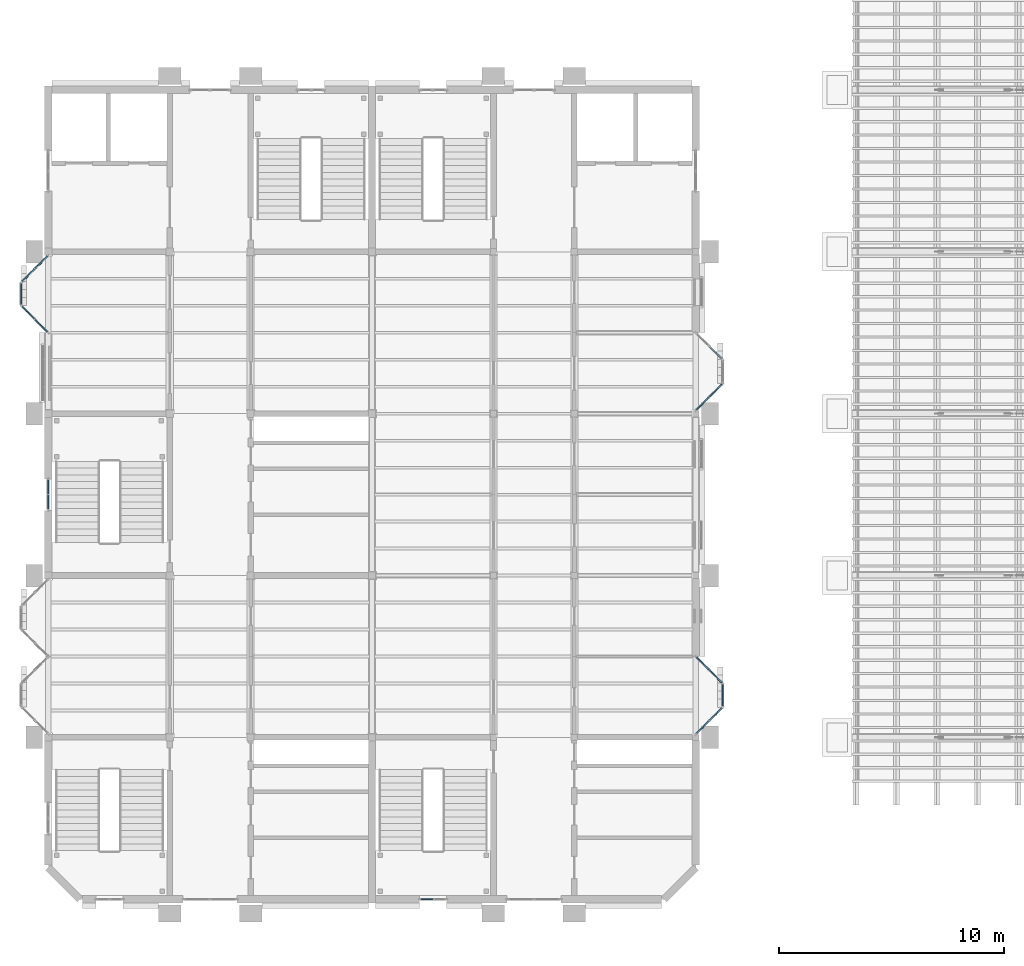
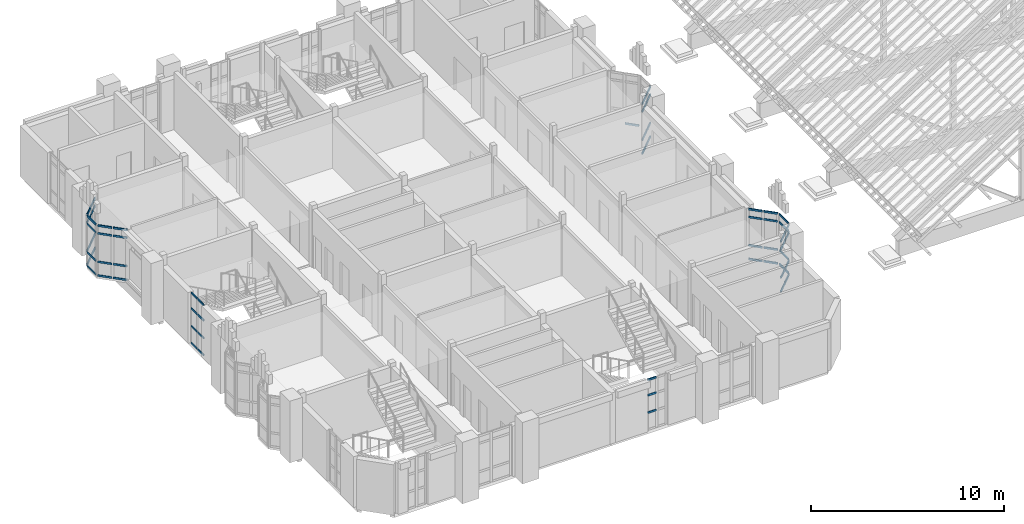
# One storey, part 22 of 71: 60 members, 10 elements without a shape of their own.
"""IFC4 building model written with IfcOpenShell, lengths in metres."""

import ifcopenshell
import ifcopenshell.guid

model = None  # the IFC model being written
_history = None  # IfcOwnerHistory: only IFC2X3 demands one
_inside = {}  # id of a spatial element -> (the spatial element, [elements in it])
_under = {}  # id of a project, library or spatial element -> (it, [spatial elements below it])
_declared = {}  # id of a project -> (the project, [libraries it declares])
_typed = {}  # id of a type object -> (the type object, [elements of that type])
_made_of = {}  # id of a material, layer set ... -> (it, [elements and type objects made of it])


def new_model(schema):
    """Start an empty IFC model of exactly this schema.

    Asked for "IFC4X3", IfcOpenShell would pick the latest addendum, in which some entities
    have other attributes; the version numbers below select the first issue.
    IFC2X3 requires an IfcOwnerHistory on every rooted entity: one is made here for all.
    """
    global model, _history
    if schema == "IFC4X3":
        model = ifcopenshell.file(schema_version=(4, 3, 0, 0))
    else:
        model = ifcopenshell.file(schema=schema)
    _inside.clear()
    _under.clear()
    _declared.clear()
    _typed.clear()
    _made_of.clear()
    _history = None
    if model.schema == "IFC2X3":
        org = make("IfcOrganization", Name="unknown")
        user = make(
            "IfcPersonAndOrganization",
            ThePerson=make("IfcPerson", FamilyName="unknown"),
            TheOrganization=org,
        )
        app = make(
            "IfcApplication",
            ApplicationDeveloper=org,
            Version="unknown",
            ApplicationFullName="unknown",
            ApplicationIdentifier="unknown",
        )
        _history = make(
            "IfcOwnerHistory",
            OwningUser=user,
            OwningApplication=app,
            ChangeAction="ADDED",
            CreationDate=0,
        )
    return model


def make(cls, **values):
    """One entity of the class cls with the attributes given. An attribute that is None is left unset."""
    return model.create_entity(
        cls, **{name: value for name, value in values.items() if value is not None}
    )


def rooted(cls, **values):
    """An entity with a GlobalId (a new one), such as an element, a storey or a relation."""
    return make(cls, GlobalId=ifcopenshell.guid.new(), OwnerHistory=_history, **values)


def si_unit(unit_type, name, prefix=None):
    """IfcSIUnit, for example si_unit("LENGTHUNIT", "METRE", prefix="MILLI")."""
    return make("IfcSIUnit", UnitType=unit_type, Prefix=prefix, Name=name)


def assignment(units):
    """IfcUnitAssignment: the units of a project."""
    return None if units is None else make("IfcUnitAssignment", Units=units)


def point(xyz):
    """IfcCartesianPoint."""
    return None if xyz is None else make("IfcCartesianPoint", Coordinates=xyz)


def direction(xyz):
    """IfcDirection."""
    return None if xyz is None else make("IfcDirection", DirectionRatios=xyz)


def frame(location, z_axis=None, x_axis=None):
    """IfcAxis2Placement3D, a coordinate frame: its origin and axes. An axis left out is left unset."""
    return make(
        "IfcAxis2Placement3D",
        Location=point(location),
        Axis=direction(z_axis),
        RefDirection=direction(x_axis),
    )


def frame_2d(location, x_axis=None):
    """IfcAxis2Placement2D, a coordinate frame in the plane: its origin and x axis."""
    return make(
        "IfcAxis2Placement2D", Location=point(location), RefDirection=direction(x_axis)
    )


def origin():
    """The frame at (0, 0, 0) with its axes left unset."""
    return frame((0.0, 0.0, 0.0))


def origin_2d():
    """The frame at (0, 0) in the plane with its x axis left unset."""
    return frame_2d((0.0, 0.0))


def place(relative_to, where):
    """IfcLocalPlacement: puts the frame where relative to a parent placement (None: the world)."""
    return make(
        "IfcLocalPlacement", PlacementRelTo=relative_to, RelativePlacement=where
    )


def context(
    kind, dimensions, precision=None, world=None, true_north=None, identifier=None
):
    """IfcGeometricRepresentationContext, for example the 3D "Model" context."""
    return make(
        "IfcGeometricRepresentationContext",
        ContextIdentifier=identifier,
        ContextType=kind,
        CoordinateSpaceDimension=dimensions,
        Precision=precision,
        WorldCoordinateSystem=world,
        TrueNorth=true_north,
    )


def subcontext(parent, identifier, kind, view, scale=None):
    """IfcGeometricRepresentationSubContext, for example "Body" below "Model"."""
    return make(
        "IfcGeometricRepresentationSubContext",
        ContextIdentifier=identifier,
        ContextType=kind,
        ParentContext=parent,
        TargetScale=scale,
        TargetView=view,
    )


def project(units=None, contexts=None):
    """IfcProject with its units and contexts."""
    return rooted(
        "IfcProject",
        Name="project",
        RepresentationContexts=contexts,
        UnitsInContext=assignment(units),
    )


def spatial(cls, under=None, at=None, **own):
    """A site, building, storey or space (cls), placed at a placement, below another one or the project."""
    s = rooted(cls, ObjectPlacement=at, **own)
    if under is not None:
        _under.setdefault(under.id(), (under, []))[1].append(s)
    return s


def profile(cls, at=None, kind="AREA", **sizes):
    """A parametric profile (cls). Its sizes go by their IFC names, for example OverallWidth=200.0."""
    return make(cls, ProfileType=kind, Position=at, **sizes)


def rectangle(**sizes):
    """IfcRectangleProfileDef."""
    return profile("IfcRectangleProfileDef", **sizes)


def extrude(swept, where, along, depth):
    """IfcExtrudedAreaSolid: the profile swept, set in the frame where, extruded along a direction by depth."""
    return make(
        "IfcExtrudedAreaSolid",
        SweptArea=swept,
        Position=where,
        ExtrudedDirection=direction(along),
        Depth=depth,
    )


def shape(context_of_items, identifier, shape_type, items):
    """IfcShapeRepresentation: the items that make up one representation, for example the "Body"."""
    return make(
        "IfcShapeRepresentation",
        ContextOfItems=context_of_items,
        RepresentationIdentifier=identifier,
        RepresentationType=shape_type,
        Items=items,
    )


def material(Name=None, Category=None):
    """IfcMaterial."""
    return make("IfcMaterial", Name=Name, Category=Category)


def layer(
    of_material, thickness, ventilated=None, Name=None, Category=None, Priority=None
):
    """IfcMaterialLayer: one layer of a wall or slab, of a material (None: an air gap)."""
    return make(
        "IfcMaterialLayer",
        Material=of_material,
        LayerThickness=thickness,
        IsVentilated=ventilated,
        Name=Name,
        Category=Category,
        Priority=Priority,
    )


def layer_set(layers, Name=None):
    """IfcMaterialLayerSet."""
    return make("IfcMaterialLayerSet", MaterialLayers=layers, LayerSetName=Name)


def material_profile(
    of_material, cross_section, Name=None, Category=None, Priority=None
):
    """IfcMaterialProfile: a cross section and its material."""
    return make(
        "IfcMaterialProfile",
        Name=Name,
        Material=of_material,
        Profile=cross_section,
        Priority=Priority,
        Category=Category,
    )


def profile_set(profiles, Name=None, composite=None):
    """IfcMaterialProfileSet."""
    return make(
        "IfcMaterialProfileSet",
        Name=Name,
        MaterialProfiles=profiles,
        CompositeProfile=composite,
    )


def made_of(thing, what):
    """Note that an element or type object is made of a material, layer set ...; save() writes the relation."""
    if what is not None:
        _made_of.setdefault(what.id(), (what, []))[1].append(thing)
    return thing


def type_object(cls, material=None, **own):
    """A type object (cls), such as IfcWallType, which elements share."""
    return made_of(rooted(cls, **own), material)


def element(
    cls,
    number,
    at=None,
    inside=None,
    cuts=None,
    type_object=None,
    material=None,
    context=None,
    identifier="Body",
    shape_type=None,
    held_by="IfcProductDefinitionShape",
    body=None,
    shapes=None,
    **own,
):
    """One element of the class cls, such as IfcWall. Its Tag is "e" and its number.

    at: its placement. inside: the storey or other place that contains it. cuts: it is an
    opening in that element (IfcRelVoidsElement). A single representation is given by context,
    identifier, shape_type and body (its items); several are given by shapes. held_by: the class
    of the entity that holds the representations. save() writes the other relations.
    """
    e = rooted(cls, Tag="e%d" % number, ObjectPlacement=at, **own)
    if body is not None:
        shapes = [shape(context, identifier, shape_type, body)]
    if shapes is not None:
        e.Representation = make(held_by, Representations=shapes)
    if inside is not None:
        _inside.setdefault(inside.id(), (inside, []))[1].append(e)
    if cuts is not None:
        rooted(
            "IfcRelVoidsElement", RelatingBuildingElement=cuts, RelatedOpeningElement=e
        )
    if type_object is not None:
        _typed.setdefault(type_object.id(), (type_object, []))[1].append(e)
    return made_of(e, material)


def aggregate(whole, parts):
    """IfcRelAggregates: a whole, such as a stair, and the parts it consists of."""
    return rooted("IfcRelAggregates", RelatingObject=whole, RelatedObjects=parts)


def save(model, path):
    """Write the relations noted so far, then the file.

    IfcRelAggregates (storeys below a building ...), IfcRelContainedInSpatialStructure (elements
    in a storey), IfcRelDefinesByType, IfcRelAssociatesMaterial and IfcRelDeclares: one each for
    every whole, place, type object, material and project.
    """
    for whole, parts in _under.values():
        aggregate(whole, parts)
    for where, things in _inside.values():
        rooted(
            "IfcRelContainedInSpatialStructure",
            RelatedElements=things,
            RelatingStructure=where,
        )
    for kind, things in _typed.values():
        rooted("IfcRelDefinesByType", RelatedObjects=things, RelatingType=kind)
    for what, things in _made_of.values():
        rooted("IfcRelAssociatesMaterial", RelatedObjects=things, RelatingMaterial=what)
    for by, libraries in _declared.values():
        rooted("IfcRelDeclares", RelatingContext=by, RelatedDefinitions=libraries)
    model.write(path)


model = new_model("IFC4")

# Units and contexts
model_context = context("Model", 3, precision=1e-05, world=origin(), true_north=direction((0.0, 1.0)))
body_context = subcontext(model_context, "Body", "Model", "MODEL_VIEW")
ifc_project = project(units=[si_unit("LENGTHUNIT", "METRE"), si_unit("AREAUNIT", "SQUARE_METRE"), si_unit("VOLUMEUNIT", "CUBIC_METRE"), si_unit("PLANEANGLEUNIT", "RADIAN"), si_unit("MASSUNIT", "GRAM", prefix="KILO")], contexts=[model_context])

# Site, building, storey
site_placement = place(None, origin())
site = spatial("IfcSite", under=ifc_project, at=site_placement, CompositionType="ELEMENT")
building_placement = place(site_placement, origin())
building = spatial("IfcBuilding", under=site, at=building_placement, Name="Mazhai Court Health Centre", CompositionType="ELEMENT")
storey_placement = place(building_placement, frame((0.0, 0.0, 10.199951171875)))
storey = spatial("IfcBuildingStorey", under=building, at=storey_placement, Name="L02", CompositionType="ELEMENT", Elevation=10.199951171875)

# Curtain wall, members
ifc_material_1 = material(Name="Teak timber frame, glazed", Category="wood")
ifc_layer_1 = layer(ifc_material_1, 0.10009765625)
ifc_layer_set_1 = layer_set([ifc_layer_1], Name="CURTAIN WALL TIMBER 600")
curtain_wall_type_1 = type_object("IfcCurtainWallType", Name="CURTAIN WALL TIMBER 600", PredefinedType="NOTDEFINED", material=ifc_layer_set_1)
curtain_wall_1_placement = place(storey_placement, origin())
curtain_wall_1 = element("IfcCurtainWall", 1, at=curtain_wall_1_placement, inside=storey, type_object=curtain_wall_type_1, Name="CW-V2-L02-A2", PredefinedType="NOTDEFINED")
ifc_material_2 = material(Name="Teak timber", Category="wood")
ifc_material_profile = material_profile(ifc_material_2, rectangle(XDim=0.06005859375, YDim=0.1201171875, at=origin_2d()), Name="CW TRANSOM 60x120")
ifc_profile_set = profile_set([ifc_material_profile], Name="Teak timber")
member_type = type_object("IfcMemberType", Name="CW TRANSOM 60x120", PredefinedType="USERDEFINED", material=ifc_profile_set)
member_1_placement = place(storey_placement, frame((6.199951171875, 23.56005859375, 0.030029296875), z_axis=(0.0, 1.0, 0.0), x_axis=(-1.0, 0.0, 0.0)))
member_1 = element("IfcMember", 2, at=member_1_placement, type_object=member_type, Name="CW transom 1.1", ObjectType="TRANSOM", PredefinedType="USERDEFINED", context=body_context, shape_type="SweptSolid", body=[
    extrude(rectangle(XDim=0.06005859375, YDim=0.1201171875, at=origin_2d()), origin(), (0.0, 0.0, 1.0), 0.60986328125),
])
member_2_placement = place(storey_placement, frame((6.199951171875, 23.56005859375, 1.10009765625), z_axis=(0.0, 1.0, 0.0), x_axis=(-1.0, 0.0, 0.0)))
member_2 = element("IfcMember", 3, at=member_2_placement, type_object=member_type, Name="CW transom 1.2", ObjectType="TRANSOM", PredefinedType="USERDEFINED", context=body_context, shape_type="SweptSolid", body=[
    extrude(rectangle(XDim=0.06005859375, YDim=0.1201171875, at=origin_2d()), origin(), (0.0, 0.0, 1.0), 0.60986328125),
])
member_3_placement = place(storey_placement, frame((6.199951171875, 23.56005859375, 2.219970703125), z_axis=(0.0, 1.0, 0.0), x_axis=(-1.0, 0.0, 0.0)))
member_3 = element("IfcMember", 4, at=member_3_placement, type_object=member_type, Name="CW transom 1.3", ObjectType="TRANSOM", PredefinedType="USERDEFINED", context=body_context, shape_type="SweptSolid", body=[
    extrude(rectangle(XDim=0.06005859375, YDim=0.1201171875, at=origin_2d()), origin(), (0.0, 0.0, 1.0), 0.60986328125),
])
member_4_placement = place(storey_placement, frame((6.199951171875, 23.56005859375, 3.18994140625), z_axis=(0.0, 1.0, 0.0), x_axis=(-1.0, 0.0, 0.0)))
member_4 = element("IfcMember", 5, at=member_4_placement, type_object=member_type, Name="CW transom 1.4", ObjectType="TRANSOM", PredefinedType="USERDEFINED", context=body_context, shape_type="SweptSolid", body=[
    extrude(rectangle(XDim=0.06005859375, YDim=0.1201171875, at=origin_2d()), origin(), (0.0, 0.0, 1.0), 0.60986328125),
])
member_5_placement = place(storey_placement, frame((6.199951171875, 24.22998046875, 0.030029296875), z_axis=(0.0, 1.0, 0.0), x_axis=(-1.0, 0.0, 0.0)))
member_5 = element("IfcMember", 6, at=member_5_placement, type_object=member_type, Name="CW transom 2.1", ObjectType="TRANSOM", PredefinedType="USERDEFINED", context=body_context, shape_type="SweptSolid", body=[
    extrude(rectangle(XDim=0.06005859375, YDim=0.1201171875, at=origin_2d()), origin(), (0.0, 0.0, 1.0), 0.610107421875),
])
member_6_placement = place(storey_placement, frame((6.199951171875, 24.22998046875, 1.10009765625), z_axis=(0.0, 1.0, 0.0), x_axis=(-1.0, 0.0, 0.0)))
member_6 = element("IfcMember", 7, at=member_6_placement, type_object=member_type, Name="CW transom 2.2", ObjectType="TRANSOM", PredefinedType="USERDEFINED", context=body_context, shape_type="SweptSolid", body=[
    extrude(rectangle(XDim=0.06005859375, YDim=0.1201171875, at=origin_2d()), origin(), (0.0, 0.0, 1.0), 0.610107421875),
])
member_7_placement = place(storey_placement, frame((6.199951171875, 24.22998046875, 2.219970703125), z_axis=(0.0, 1.0, 0.0), x_axis=(-1.0, 0.0, 0.0)))
member_7 = element("IfcMember", 8, at=member_7_placement, type_object=member_type, Name="CW transom 2.3", ObjectType="TRANSOM", PredefinedType="USERDEFINED", context=body_context, shape_type="SweptSolid", body=[
    extrude(rectangle(XDim=0.06005859375, YDim=0.1201171875, at=origin_2d()), origin(), (0.0, 0.0, 1.0), 0.610107421875),
])
member_8_placement = place(storey_placement, frame((6.199951171875, 24.22998046875, 3.18994140625), z_axis=(0.0, 1.0, 0.0), x_axis=(-1.0, 0.0, 0.0)))
member_8 = element("IfcMember", 9, at=member_8_placement, type_object=member_type, Name="CW transom 2.4", ObjectType="TRANSOM", PredefinedType="USERDEFINED", context=body_context, shape_type="SweptSolid", body=[
    extrude(rectangle(XDim=0.06005859375, YDim=0.1201171875, at=origin_2d()), origin(), (0.0, 0.0, 1.0), 0.610107421875),
])
aggregate(curtain_wall_1, [member_1, member_2, member_3, member_4, member_5, member_6, member_7, member_8])

ifc_material_3 = material(Name="Teak timber frame, glazed", Category="wood")
ifc_layer_2 = layer(ifc_material_3, 0.10009765625)
ifc_layer_set_2 = layer_set([ifc_layer_2], Name="CURTAIN WALL TIMBER 900")
curtain_wall_type_2 = type_object("IfcCurtainWallType", Name="CURTAIN WALL TIMBER 900", PredefinedType="NOTDEFINED", material=ifc_layer_set_2)
curtain_wall_2_placement = place(storey_placement, origin())
curtain_wall_2 = element("IfcCurtainWall", 10, at=curtain_wall_2_placement, inside=storey, type_object=curtain_wall_type_2, Name="CW-ORIEL-V2-L02-A31-0", PredefinedType="NOTDEFINED")
member_9_placement = place(storey_placement, frame((6.157470703125, 31.4423828125, 0.030029296875), z_axis=(-0.707106781187, 0.707106781187, 0.0), x_axis=(-0.707106781187, -0.707106781187, 0.0)))
member_9 = element("IfcMember", 11, at=member_9_placement, type_object=member_type, Name="CW transom 1.1", ObjectType="TRANSOM", PredefinedType="USERDEFINED", context=body_context, shape_type="SweptSolid", body=[
    extrude(rectangle(XDim=0.06005859375, YDim=0.1201171875, at=origin_2d()), origin(), (0.0, 0.0, 1.0), 0.758544921875),
])
member_10_placement = place(storey_placement, frame((6.157470703125, 31.4423828125, 0.900146484375), z_axis=(-0.707106781187, 0.707106781187, 0.0), x_axis=(-0.707106781187, -0.707106781187, 0.0)))
member_10 = element("IfcMember", 12, at=member_10_placement, type_object=member_type, Name="CW transom 1.2", ObjectType="TRANSOM", PredefinedType="USERDEFINED", context=body_context, shape_type="SweptSolid", body=[
    extrude(rectangle(XDim=0.06005859375, YDim=0.1201171875, at=origin_2d()), origin(), (0.0, 0.0, 1.0), 0.758544921875),
])
member_11_placement = place(storey_placement, frame((6.157470703125, 31.4423828125, 2.699951171875), z_axis=(-0.707106781187, 0.707106781187, 0.0), x_axis=(-0.707106781187, -0.707106781187, 0.0)))
member_11 = element("IfcMember", 13, at=member_11_placement, type_object=member_type, Name="CW transom 1.3", ObjectType="TRANSOM", PredefinedType="USERDEFINED", context=body_context, shape_type="SweptSolid", body=[
    extrude(rectangle(XDim=0.06005859375, YDim=0.1201171875, at=origin_2d()), origin(), (0.0, 0.0, 1.0), 0.758544921875),
])
member_12_placement = place(storey_placement, frame((6.157470703125, 31.4423828125, 3.18994140625), z_axis=(-0.707106781187, 0.707106781187, 0.0), x_axis=(-0.707106781187, -0.707106781187, 0.0)))
member_12 = element("IfcMember", 14, at=member_12_placement, type_object=member_type, Name="CW transom 1.4", ObjectType="TRANSOM", PredefinedType="USERDEFINED", context=body_context, shape_type="SweptSolid", body=[
    extrude(rectangle(XDim=0.06005859375, YDim=0.1201171875, at=origin_2d()), origin(), (0.0, 0.0, 1.0), 0.758544921875),
])
member_13_placement = place(storey_placement, frame((5.578857421875, 32.021240234375, 0.030029296875), z_axis=(-0.707106781187, 0.707106781187, 0.0), x_axis=(-0.707106781187, -0.707106781187, 0.0)))
member_13 = element("IfcMember", 15, at=member_13_placement, type_object=member_type, Name="CW transom 2.1", ObjectType="TRANSOM", PredefinedType="USERDEFINED", context=body_context, shape_type="SweptSolid", body=[
    extrude(rectangle(XDim=0.06005859375, YDim=0.1201171875, at=origin_2d()), origin(), (0.0, 0.0, 1.0), 0.758544921875),
])
member_14_placement = place(storey_placement, frame((5.578857421875, 32.021240234375, 0.900146484375), z_axis=(-0.707106781187, 0.707106781187, 0.0), x_axis=(-0.707106781187, -0.707106781187, 0.0)))
member_14 = element("IfcMember", 16, at=member_14_placement, type_object=member_type, Name="CW transom 2.2", ObjectType="TRANSOM", PredefinedType="USERDEFINED", context=body_context, shape_type="SweptSolid", body=[
    extrude(rectangle(XDim=0.06005859375, YDim=0.1201171875, at=origin_2d()), origin(), (0.0, 0.0, 1.0), 0.758544921875),
])
member_15_placement = place(storey_placement, frame((5.578857421875, 32.021240234375, 2.699951171875), z_axis=(-0.707106781187, 0.707106781187, 0.0), x_axis=(-0.707106781187, -0.707106781187, 0.0)))
member_15 = element("IfcMember", 17, at=member_15_placement, type_object=member_type, Name="CW transom 2.3", ObjectType="TRANSOM", PredefinedType="USERDEFINED", context=body_context, shape_type="SweptSolid", body=[
    extrude(rectangle(XDim=0.06005859375, YDim=0.1201171875, at=origin_2d()), origin(), (0.0, 0.0, 1.0), 0.758544921875),
])
member_16_placement = place(storey_placement, frame((5.578857421875, 32.021240234375, 3.18994140625), z_axis=(-0.707106781187, 0.707106781187, 0.0), x_axis=(-0.707106781187, -0.707106781187, 0.0)))
member_16 = element("IfcMember", 18, at=member_16_placement, type_object=member_type, Name="CW transom 2.4", ObjectType="TRANSOM", PredefinedType="USERDEFINED", context=body_context, shape_type="SweptSolid", body=[
    extrude(rectangle(XDim=0.06005859375, YDim=0.1201171875, at=origin_2d()), origin(), (0.0, 0.0, 1.0), 0.758544921875),
])
aggregate(curtain_wall_2, [member_9, member_10, member_11, member_12, member_13, member_14, member_15, member_16])

curtain_wall_3_placement = place(storey_placement, origin())
curtain_wall_3 = element("IfcCurtainWall", 19, at=curtain_wall_3_placement, inside=storey, type_object=curtain_wall_type_2, Name="CW-ORIEL-V2-L02-A31-1", PredefinedType="NOTDEFINED")
member_17_placement = place(storey_placement, frame((5.0, 32.659912109375, 0.030029296875), z_axis=(0.0, 1.0, 0.0), x_axis=(-1.0, 0.0, 0.0)))
member_17 = element("IfcMember", 20, at=member_17_placement, type_object=member_type, Name="CW transom 1.1", ObjectType="TRANSOM", PredefinedType="USERDEFINED", context=body_context, shape_type="SweptSolid", body=[
    extrude(rectangle(XDim=0.06005859375, YDim=0.1201171875, at=origin_2d()), origin(), (0.0, 0.0, 1.0), 0.920166015625),
])
member_18_placement = place(storey_placement, frame((5.0, 32.659912109375, 0.900146484375), z_axis=(0.0, 1.0, 0.0), x_axis=(-1.0, 0.0, 0.0)))
member_18 = element("IfcMember", 21, at=member_18_placement, type_object=member_type, Name="CW transom 1.2", ObjectType="TRANSOM", PredefinedType="USERDEFINED", context=body_context, shape_type="SweptSolid", body=[
    extrude(rectangle(XDim=0.06005859375, YDim=0.1201171875, at=origin_2d()), origin(), (0.0, 0.0, 1.0), 0.920166015625),
])
member_19_placement = place(storey_placement, frame((5.0, 32.659912109375, 2.699951171875), z_axis=(0.0, 1.0, 0.0), x_axis=(-1.0, 0.0, 0.0)))
member_19 = element("IfcMember", 22, at=member_19_placement, type_object=member_type, Name="CW transom 1.3", ObjectType="TRANSOM", PredefinedType="USERDEFINED", context=body_context, shape_type="SweptSolid", body=[
    extrude(rectangle(XDim=0.06005859375, YDim=0.1201171875, at=origin_2d()), origin(), (0.0, 0.0, 1.0), 0.920166015625),
])
member_20_placement = place(storey_placement, frame((5.0, 32.659912109375, 3.18994140625), z_axis=(0.0, 1.0, 0.0), x_axis=(-1.0, 0.0, 0.0)))
member_20 = element("IfcMember", 23, at=member_20_placement, type_object=member_type, Name="CW transom 1.4", ObjectType="TRANSOM", PredefinedType="USERDEFINED", context=body_context, shape_type="SweptSolid", body=[
    extrude(rectangle(XDim=0.06005859375, YDim=0.1201171875, at=origin_2d()), origin(), (0.0, 0.0, 1.0), 0.920166015625),
])
aggregate(curtain_wall_3, [member_17, member_18, member_19, member_20])

curtain_wall_4_placement = place(storey_placement, origin())
curtain_wall_4 = element("IfcCurtainWall", 24, at=curtain_wall_4_placement, inside=storey, type_object=curtain_wall_type_2, Name="CW-ORIEL-V2-L02-A31-2", PredefinedType="NOTDEFINED")
member_21_placement = place(storey_placement, frame((5.04248046875, 33.682373046875, 0.030029296875), z_axis=(0.707106781187, 0.707106781187, 0.0), x_axis=(-0.707106781187, 0.707106781187, 0.0)))
member_21 = element("IfcMember", 25, at=member_21_placement, type_object=member_type, Name="CW transom 1.1", ObjectType="TRANSOM", PredefinedType="USERDEFINED", context=body_context, shape_type="SweptSolid", body=[
    extrude(rectangle(XDim=0.06005859375, YDim=0.1201171875, at=origin_2d()), origin(), (0.0, 0.0, 1.0), 0.758544921875),
])
member_22_placement = place(storey_placement, frame((5.04248046875, 33.682373046875, 0.900146484375), z_axis=(0.707106781187, 0.707106781187, 0.0), x_axis=(-0.707106781187, 0.707106781187, 0.0)))
member_22 = element("IfcMember", 26, at=member_22_placement, type_object=member_type, Name="CW transom 1.2", ObjectType="TRANSOM", PredefinedType="USERDEFINED", context=body_context, shape_type="SweptSolid", body=[
    extrude(rectangle(XDim=0.06005859375, YDim=0.1201171875, at=origin_2d()), origin(), (0.0, 0.0, 1.0), 0.758544921875),
])
member_23_placement = place(storey_placement, frame((5.04248046875, 33.682373046875, 2.699951171875), z_axis=(0.707106781187, 0.707106781187, 0.0), x_axis=(-0.707106781187, 0.707106781187, 0.0)))
member_23 = element("IfcMember", 27, at=member_23_placement, type_object=member_type, Name="CW transom 1.3", ObjectType="TRANSOM", PredefinedType="USERDEFINED", context=body_context, shape_type="SweptSolid", body=[
    extrude(rectangle(XDim=0.06005859375, YDim=0.1201171875, at=origin_2d()), origin(), (0.0, 0.0, 1.0), 0.758544921875),
])
member_24_placement = place(storey_placement, frame((5.04248046875, 33.682373046875, 3.18994140625), z_axis=(0.707106781187, 0.707106781187, 0.0), x_axis=(-0.707106781187, 0.707106781187, 0.0)))
member_24 = element("IfcMember", 28, at=member_24_placement, type_object=member_type, Name="CW transom 1.4", ObjectType="TRANSOM", PredefinedType="USERDEFINED", context=body_context, shape_type="SweptSolid", body=[
    extrude(rectangle(XDim=0.06005859375, YDim=0.1201171875, at=origin_2d()), origin(), (0.0, 0.0, 1.0), 0.758544921875),
])
member_25_placement = place(storey_placement, frame((5.62109375, 34.26123046875, 0.030029296875), z_axis=(0.707106781187, 0.707106781187, 0.0), x_axis=(-0.707106781187, 0.707106781187, 0.0)))
member_25 = element("IfcMember", 29, at=member_25_placement, type_object=member_type, Name="CW transom 2.1", ObjectType="TRANSOM", PredefinedType="USERDEFINED", context=body_context, shape_type="SweptSolid", body=[
    extrude(rectangle(XDim=0.06005859375, YDim=0.1201171875, at=origin_2d()), origin(), (0.0, 0.0, 1.0), 0.758544921875),
])
member_26_placement = place(storey_placement, frame((5.62109375, 34.26123046875, 0.900146484375), z_axis=(0.707106781187, 0.707106781187, 0.0), x_axis=(-0.707106781187, 0.707106781187, 0.0)))
member_26 = element("IfcMember", 30, at=member_26_placement, type_object=member_type, Name="CW transom 2.2", ObjectType="TRANSOM", PredefinedType="USERDEFINED", context=body_context, shape_type="SweptSolid", body=[
    extrude(rectangle(XDim=0.06005859375, YDim=0.1201171875, at=origin_2d()), origin(), (0.0, 0.0, 1.0), 0.758544921875),
])
member_27_placement = place(storey_placement, frame((5.62109375, 34.26123046875, 2.699951171875), z_axis=(0.707106781187, 0.707106781187, 0.0), x_axis=(-0.707106781187, 0.707106781187, 0.0)))
member_27 = element("IfcMember", 31, at=member_27_placement, type_object=member_type, Name="CW transom 2.3", ObjectType="TRANSOM", PredefinedType="USERDEFINED", context=body_context, shape_type="SweptSolid", body=[
    extrude(rectangle(XDim=0.06005859375, YDim=0.1201171875, at=origin_2d()), origin(), (0.0, 0.0, 1.0), 0.758544921875),
])
member_28_placement = place(storey_placement, frame((5.62109375, 34.26123046875, 3.18994140625), z_axis=(0.707106781187, 0.707106781187, 0.0), x_axis=(-0.707106781187, 0.707106781187, 0.0)))
member_28 = element("IfcMember", 32, at=member_28_placement, type_object=member_type, Name="CW transom 2.4", ObjectType="TRANSOM", PredefinedType="USERDEFINED", context=body_context, shape_type="SweptSolid", body=[
    extrude(rectangle(XDim=0.06005859375, YDim=0.1201171875, at=origin_2d()), origin(), (0.0, 0.0, 1.0), 0.758544921875),
])
aggregate(curtain_wall_4, [member_21, member_22, member_23, member_24, member_25, member_26, member_27, member_28])

curtain_wall_5_placement = place(storey_placement, origin())
curtain_wall_5 = element("IfcCurtainWall", 33, at=curtain_wall_5_placement, inside=storey, type_object=curtain_wall_type_2, Name="CW-ORIEL-V5-L02-B10-0", PredefinedType="NOTDEFINED")
member_29_placement = place(storey_placement, frame((35.04248046875, 13.58251953125, 0.030029296875), z_axis=(0.707106781187, 0.707106781187, 0.0), x_axis=(-0.707106781187, 0.707106781187, 0.0)))
member_29 = element("IfcMember", 34, at=member_29_placement, type_object=member_type, Name="CW transom 1.1", ObjectType="TRANSOM", PredefinedType="USERDEFINED", context=body_context, shape_type="SweptSolid", body=[
    extrude(rectangle(XDim=0.06005859375, YDim=0.1201171875, at=origin_2d()), origin(), (0.0, 0.0, 1.0), 0.758544921875),
])
member_30_placement = place(storey_placement, frame((35.04248046875, 13.58251953125, 0.900146484375), z_axis=(0.707106781187, 0.707106781187, 0.0), x_axis=(-0.707106781187, 0.707106781187, 0.0)))
member_30 = element("IfcMember", 35, at=member_30_placement, type_object=member_type, Name="CW transom 1.2", ObjectType="TRANSOM", PredefinedType="USERDEFINED", context=body_context, shape_type="SweptSolid", body=[
    extrude(rectangle(XDim=0.06005859375, YDim=0.1201171875, at=origin_2d()), origin(), (0.0, 0.0, 1.0), 0.758544921875),
])
member_31_placement = place(storey_placement, frame((35.04248046875, 13.58251953125, 2.699951171875), z_axis=(0.707106781187, 0.707106781187, 0.0), x_axis=(-0.707106781187, 0.707106781187, 0.0)))
member_31 = element("IfcMember", 36, at=member_31_placement, type_object=member_type, Name="CW transom 1.3", ObjectType="TRANSOM", PredefinedType="USERDEFINED", context=body_context, shape_type="SweptSolid", body=[
    extrude(rectangle(XDim=0.06005859375, YDim=0.1201171875, at=origin_2d()), origin(), (0.0, 0.0, 1.0), 0.758544921875),
])
member_32_placement = place(storey_placement, frame((35.04248046875, 13.58251953125, 3.18994140625), z_axis=(0.707106781187, 0.707106781187, 0.0), x_axis=(-0.707106781187, 0.707106781187, 0.0)))
member_32 = element("IfcMember", 37, at=member_32_placement, type_object=member_type, Name="CW transom 1.4", ObjectType="TRANSOM", PredefinedType="USERDEFINED", context=body_context, shape_type="SweptSolid", body=[
    extrude(rectangle(XDim=0.06005859375, YDim=0.1201171875, at=origin_2d()), origin(), (0.0, 0.0, 1.0), 0.758544921875),
])
member_33_placement = place(storey_placement, frame((35.62109375, 14.1611328125, 0.030029296875), z_axis=(0.707106781187, 0.707106781187, 0.0), x_axis=(-0.707106781187, 0.707106781187, 0.0)))
member_33 = element("IfcMember", 38, at=member_33_placement, type_object=member_type, Name="CW transom 2.1", ObjectType="TRANSOM", PredefinedType="USERDEFINED", context=body_context, shape_type="SweptSolid", body=[
    extrude(rectangle(XDim=0.06005859375, YDim=0.1201171875, at=origin_2d()), origin(), (0.0, 0.0, 1.0), 0.758544921875),
])
member_34_placement = place(storey_placement, frame((35.62109375, 14.1611328125, 0.900146484375), z_axis=(0.707106781187, 0.707106781187, 0.0), x_axis=(-0.707106781187, 0.707106781187, 0.0)))
member_34 = element("IfcMember", 39, at=member_34_placement, type_object=member_type, Name="CW transom 2.2", ObjectType="TRANSOM", PredefinedType="USERDEFINED", context=body_context, shape_type="SweptSolid", body=[
    extrude(rectangle(XDim=0.06005859375, YDim=0.1201171875, at=origin_2d()), origin(), (0.0, 0.0, 1.0), 0.758544921875),
])
member_35_placement = place(storey_placement, frame((35.62109375, 14.1611328125, 2.699951171875), z_axis=(0.707106781187, 0.707106781187, 0.0), x_axis=(-0.707106781187, 0.707106781187, 0.0)))
member_35 = element("IfcMember", 40, at=member_35_placement, type_object=member_type, Name="CW transom 2.3", ObjectType="TRANSOM", PredefinedType="USERDEFINED", context=body_context, shape_type="SweptSolid", body=[
    extrude(rectangle(XDim=0.06005859375, YDim=0.1201171875, at=origin_2d()), origin(), (0.0, 0.0, 1.0), 0.758544921875),
])
member_36_placement = place(storey_placement, frame((35.62109375, 14.1611328125, 3.18994140625), z_axis=(0.707106781187, 0.707106781187, 0.0), x_axis=(-0.707106781187, 0.707106781187, 0.0)))
member_36 = element("IfcMember", 41, at=member_36_placement, type_object=member_type, Name="CW transom 2.4", ObjectType="TRANSOM", PredefinedType="USERDEFINED", context=body_context, shape_type="SweptSolid", body=[
    extrude(rectangle(XDim=0.06005859375, YDim=0.1201171875, at=origin_2d()), origin(), (0.0, 0.0, 1.0), 0.758544921875),
])
aggregate(curtain_wall_5, [member_29, member_30, member_31, member_32, member_33, member_34, member_35, member_36])

curtain_wall_6_placement = place(storey_placement, origin())
curtain_wall_6 = element("IfcCurtainWall", 42, at=curtain_wall_6_placement, inside=storey, type_object=curtain_wall_type_2, Name="CW-ORIEL-V5-L02-B10-1", PredefinedType="NOTDEFINED")
member_37_placement = place(storey_placement, frame((36.199951171875, 14.800048828125, 0.030029296875), z_axis=(0.0, 1.0, 0.0), x_axis=(-1.0, 0.0, 0.0)))
member_37 = element("IfcMember", 43, at=member_37_placement, type_object=member_type, Name="CW transom 1.1", ObjectType="TRANSOM", PredefinedType="USERDEFINED", context=body_context, shape_type="SweptSolid", body=[
    extrude(rectangle(XDim=0.06005859375, YDim=0.1201171875, at=origin_2d()), origin(), (0.0, 0.0, 1.0), 0.93994140625),
])
member_38_placement = place(storey_placement, frame((36.199951171875, 14.800048828125, 0.900146484375), z_axis=(0.0, 1.0, 0.0), x_axis=(-1.0, 0.0, 0.0)))
member_38 = element("IfcMember", 44, at=member_38_placement, type_object=member_type, Name="CW transom 1.2", ObjectType="TRANSOM", PredefinedType="USERDEFINED", context=body_context, shape_type="SweptSolid", body=[
    extrude(rectangle(XDim=0.06005859375, YDim=0.1201171875, at=origin_2d()), origin(), (0.0, 0.0, 1.0), 0.93994140625),
])
member_39_placement = place(storey_placement, frame((36.199951171875, 14.800048828125, 2.699951171875), z_axis=(0.0, 1.0, 0.0), x_axis=(-1.0, 0.0, 0.0)))
member_39 = element("IfcMember", 45, at=member_39_placement, type_object=member_type, Name="CW transom 1.3", ObjectType="TRANSOM", PredefinedType="USERDEFINED", context=body_context, shape_type="SweptSolid", body=[
    extrude(rectangle(XDim=0.06005859375, YDim=0.1201171875, at=origin_2d()), origin(), (0.0, 0.0, 1.0), 0.93994140625),
])
member_40_placement = place(storey_placement, frame((36.199951171875, 14.800048828125, 3.18994140625), z_axis=(0.0, 1.0, 0.0), x_axis=(-1.0, 0.0, 0.0)))
member_40 = element("IfcMember", 46, at=member_40_placement, type_object=member_type, Name="CW transom 1.4", ObjectType="TRANSOM", PredefinedType="USERDEFINED", context=body_context, shape_type="SweptSolid", body=[
    extrude(rectangle(XDim=0.06005859375, YDim=0.1201171875, at=origin_2d()), origin(), (0.0, 0.0, 1.0), 0.93994140625),
])
aggregate(curtain_wall_6, [member_37, member_38, member_39, member_40])

curtain_wall_7_placement = place(storey_placement, origin())
curtain_wall_7 = element("IfcCurtainWall", 47, at=curtain_wall_7_placement, inside=storey, type_object=curtain_wall_type_2, Name="CW-ORIEL-V5-L02-B10-2", PredefinedType="NOTDEFINED")
member_41_placement = place(storey_placement, frame((36.157470703125, 15.842529296875, 0.030029296875), z_axis=(-0.707106781187, 0.707106781187, 0.0), x_axis=(-0.707106781187, -0.707106781187, 0.0)))
member_41 = element("IfcMember", 48, at=member_41_placement, type_object=member_type, Name="CW transom 1.1", ObjectType="TRANSOM", PredefinedType="USERDEFINED", context=body_context, shape_type="SweptSolid", body=[
    extrude(rectangle(XDim=0.06005859375, YDim=0.1201171875, at=origin_2d()), origin(), (0.0, 0.0, 1.0), 0.758544921875),
])
member_42_placement = place(storey_placement, frame((36.157470703125, 15.842529296875, 0.900146484375), z_axis=(-0.707106781187, 0.707106781187, 0.0), x_axis=(-0.707106781187, -0.707106781187, 0.0)))
member_42 = element("IfcMember", 49, at=member_42_placement, type_object=member_type, Name="CW transom 1.2", ObjectType="TRANSOM", PredefinedType="USERDEFINED", context=body_context, shape_type="SweptSolid", body=[
    extrude(rectangle(XDim=0.06005859375, YDim=0.1201171875, at=origin_2d()), origin(), (0.0, 0.0, 1.0), 0.758544921875),
])
member_43_placement = place(storey_placement, frame((36.157470703125, 15.842529296875, 2.699951171875), z_axis=(-0.707106781187, 0.707106781187, 0.0), x_axis=(-0.707106781187, -0.707106781187, 0.0)))
member_43 = element("IfcMember", 50, at=member_43_placement, type_object=member_type, Name="CW transom 1.3", ObjectType="TRANSOM", PredefinedType="USERDEFINED", context=body_context, shape_type="SweptSolid", body=[
    extrude(rectangle(XDim=0.06005859375, YDim=0.1201171875, at=origin_2d()), origin(), (0.0, 0.0, 1.0), 0.758544921875),
])
member_44_placement = place(storey_placement, frame((36.157470703125, 15.842529296875, 3.18994140625), z_axis=(-0.707106781187, 0.707106781187, 0.0), x_axis=(-0.707106781187, -0.707106781187, 0.0)))
member_44 = element("IfcMember", 51, at=member_44_placement, type_object=member_type, Name="CW transom 1.4", ObjectType="TRANSOM", PredefinedType="USERDEFINED", context=body_context, shape_type="SweptSolid", body=[
    extrude(rectangle(XDim=0.06005859375, YDim=0.1201171875, at=origin_2d()), origin(), (0.0, 0.0, 1.0), 0.758544921875),
])
member_45_placement = place(storey_placement, frame((35.578857421875, 16.421142578125, 0.030029296875), z_axis=(-0.707106781187, 0.707106781187, 0.0), x_axis=(-0.707106781187, -0.707106781187, 0.0)))
member_45 = element("IfcMember", 52, at=member_45_placement, type_object=member_type, Name="CW transom 2.1", ObjectType="TRANSOM", PredefinedType="USERDEFINED", context=body_context, shape_type="SweptSolid", body=[
    extrude(rectangle(XDim=0.06005859375, YDim=0.1201171875, at=origin_2d()), origin(), (0.0, 0.0, 1.0), 0.758544921875),
])
member_46_placement = place(storey_placement, frame((35.578857421875, 16.421142578125, 0.900146484375), z_axis=(-0.707106781187, 0.707106781187, 0.0), x_axis=(-0.707106781187, -0.707106781187, 0.0)))
member_46 = element("IfcMember", 53, at=member_46_placement, type_object=member_type, Name="CW transom 2.2", ObjectType="TRANSOM", PredefinedType="USERDEFINED", context=body_context, shape_type="SweptSolid", body=[
    extrude(rectangle(XDim=0.06005859375, YDim=0.1201171875, at=origin_2d()), origin(), (0.0, 0.0, 1.0), 0.758544921875),
])
member_47_placement = place(storey_placement, frame((35.578857421875, 16.421142578125, 2.699951171875), z_axis=(-0.707106781187, 0.707106781187, 0.0), x_axis=(-0.707106781187, -0.707106781187, 0.0)))
member_47 = element("IfcMember", 54, at=member_47_placement, type_object=member_type, Name="CW transom 2.3", ObjectType="TRANSOM", PredefinedType="USERDEFINED", context=body_context, shape_type="SweptSolid", body=[
    extrude(rectangle(XDim=0.06005859375, YDim=0.1201171875, at=origin_2d()), origin(), (0.0, 0.0, 1.0), 0.758544921875),
])
member_48_placement = place(storey_placement, frame((35.578857421875, 16.421142578125, 3.18994140625), z_axis=(-0.707106781187, 0.707106781187, 0.0), x_axis=(-0.707106781187, -0.707106781187, 0.0)))
member_48 = element("IfcMember", 55, at=member_48_placement, type_object=member_type, Name="CW transom 2.4", ObjectType="TRANSOM", PredefinedType="USERDEFINED", context=body_context, shape_type="SweptSolid", body=[
    extrude(rectangle(XDim=0.06005859375, YDim=0.1201171875, at=origin_2d()), origin(), (0.0, 0.0, 1.0), 0.758544921875),
])
aggregate(curtain_wall_7, [member_41, member_42, member_43, member_44, member_45, member_46, member_47, member_48])

curtain_wall_8_placement = place(storey_placement, origin())
curtain_wall_8 = element("IfcCurtainWall", 56, at=curtain_wall_8_placement, inside=storey, type_object=curtain_wall_type_2, Name="CW-ORIEL-V5-L02-B30-0", PredefinedType="NOTDEFINED")
member_49_placement = place(storey_placement, frame((35.04248046875, 27.982421875, 0.030029296875), z_axis=(0.707106781187, 0.707106781187, 0.0), x_axis=(-0.707106781187, 0.707106781187, 0.0)))
member_49 = element("IfcMember", 57, at=member_49_placement, type_object=member_type, Name="CW transom 1.1", ObjectType="TRANSOM", PredefinedType="USERDEFINED", context=body_context, shape_type="SweptSolid", body=[
    extrude(rectangle(XDim=0.06005859375, YDim=0.1201171875, at=origin_2d()), origin(), (0.0, 0.0, 1.0), 0.758544921875),
])
member_50_placement = place(storey_placement, frame((35.04248046875, 27.982421875, 0.900146484375), z_axis=(0.707106781187, 0.707106781187, 0.0), x_axis=(-0.707106781187, 0.707106781187, 0.0)))
member_50 = element("IfcMember", 58, at=member_50_placement, type_object=member_type, Name="CW transom 1.2", ObjectType="TRANSOM", PredefinedType="USERDEFINED", context=body_context, shape_type="SweptSolid", body=[
    extrude(rectangle(XDim=0.06005859375, YDim=0.1201171875, at=origin_2d()), origin(), (0.0, 0.0, 1.0), 0.758544921875),
])
member_51_placement = place(storey_placement, frame((35.04248046875, 27.982421875, 2.699951171875), z_axis=(0.707106781187, 0.707106781187, 0.0), x_axis=(-0.707106781187, 0.707106781187, 0.0)))
member_51 = element("IfcMember", 59, at=member_51_placement, type_object=member_type, Name="CW transom 1.3", ObjectType="TRANSOM", PredefinedType="USERDEFINED", context=body_context, shape_type="SweptSolid", body=[
    extrude(rectangle(XDim=0.06005859375, YDim=0.1201171875, at=origin_2d()), origin(), (0.0, 0.0, 1.0), 0.758544921875),
])
member_52_placement = place(storey_placement, frame((35.04248046875, 27.982421875, 3.18994140625), z_axis=(0.707106781187, 0.707106781187, 0.0), x_axis=(-0.707106781187, 0.707106781187, 0.0)))
member_52 = element("IfcMember", 60, at=member_52_placement, type_object=member_type, Name="CW transom 1.4", ObjectType="TRANSOM", PredefinedType="USERDEFINED", context=body_context, shape_type="SweptSolid", body=[
    extrude(rectangle(XDim=0.06005859375, YDim=0.1201171875, at=origin_2d()), origin(), (0.0, 0.0, 1.0), 0.758544921875),
])
member_53_placement = place(storey_placement, frame((35.62109375, 28.561279296875, 0.030029296875), z_axis=(0.707106781187, 0.707106781187, 0.0), x_axis=(-0.707106781187, 0.707106781187, 0.0)))
member_53 = element("IfcMember", 61, at=member_53_placement, type_object=member_type, Name="CW transom 2.1", ObjectType="TRANSOM", PredefinedType="USERDEFINED", context=body_context, shape_type="SweptSolid", body=[
    extrude(rectangle(XDim=0.06005859375, YDim=0.1201171875, at=origin_2d()), origin(), (0.0, 0.0, 1.0), 0.758544921875),
])
member_54_placement = place(storey_placement, frame((35.62109375, 28.561279296875, 0.900146484375), z_axis=(0.707106781187, 0.707106781187, 0.0), x_axis=(-0.707106781187, 0.707106781187, 0.0)))
member_54 = element("IfcMember", 62, at=member_54_placement, type_object=member_type, Name="CW transom 2.2", ObjectType="TRANSOM", PredefinedType="USERDEFINED", context=body_context, shape_type="SweptSolid", body=[
    extrude(rectangle(XDim=0.06005859375, YDim=0.1201171875, at=origin_2d()), origin(), (0.0, 0.0, 1.0), 0.758544921875),
])
member_55_placement = place(storey_placement, frame((35.62109375, 28.561279296875, 2.699951171875), z_axis=(0.707106781187, 0.707106781187, 0.0), x_axis=(-0.707106781187, 0.707106781187, 0.0)))
member_55 = element("IfcMember", 63, at=member_55_placement, type_object=member_type, Name="CW transom 2.3", ObjectType="TRANSOM", PredefinedType="USERDEFINED", context=body_context, shape_type="SweptSolid", body=[
    extrude(rectangle(XDim=0.06005859375, YDim=0.1201171875, at=origin_2d()), origin(), (0.0, 0.0, 1.0), 0.758544921875),
])
member_56_placement = place(storey_placement, frame((35.62109375, 28.561279296875, 3.18994140625), z_axis=(0.707106781187, 0.707106781187, 0.0), x_axis=(-0.707106781187, 0.707106781187, 0.0)))
member_56 = element("IfcMember", 64, at=member_56_placement, type_object=member_type, Name="CW transom 2.4", ObjectType="TRANSOM", PredefinedType="USERDEFINED", context=body_context, shape_type="SweptSolid", body=[
    extrude(rectangle(XDim=0.06005859375, YDim=0.1201171875, at=origin_2d()), origin(), (0.0, 0.0, 1.0), 0.758544921875),
])
aggregate(curtain_wall_8, [member_49, member_50, member_51, member_52, member_53, member_54, member_55, member_56])

# Curtain wall, member
curtain_wall_9_placement = place(storey_placement, origin())
curtain_wall_9 = element("IfcCurtainWall", 65, at=curtain_wall_9_placement, inside=storey, type_object=curtain_wall_type_2, Name="CW-ORIEL-V5-L02-B30-2", PredefinedType="NOTDEFINED")
member_57_placement = place(storey_placement, frame((36.157470703125, 30.242431640625, 0.030029296875), z_axis=(-0.707106781187, 0.707106781187, 0.0), x_axis=(-0.707106781187, -0.707106781187, 0.0)))
member_57 = element("IfcMember", 66, at=member_57_placement, type_object=member_type, Name="CW transom 1.1", ObjectType="TRANSOM", PredefinedType="USERDEFINED", context=body_context, shape_type="SweptSolid", body=[
    extrude(rectangle(XDim=0.06005859375, YDim=0.1201171875, at=origin_2d()), origin(), (0.0, 0.0, 1.0), 0.758544921875),
])
aggregate(curtain_wall_9, [member_57])

# Curtain wall, members
curtain_wall_10_placement = place(storey_placement, origin())
curtain_wall_10 = element("IfcCurtainWall", 67, at=curtain_wall_10_placement, inside=storey, type_object=curtain_wall_type_1, Name="CW-V5-L02-SSTAIR0", PredefinedType="NOTDEFINED")
member_58_placement = place(storey_placement, frame((23.2900390625, 6.199951171875, 1.10009765625), z_axis=(-1.0, 0.0, 0.0), x_axis=(0.0, -1.0, 0.0)))
member_58 = element("IfcMember", 68, at=member_58_placement, type_object=member_type, Name="CW transom 2.2", ObjectType="TRANSOM", PredefinedType="USERDEFINED", context=body_context, shape_type="SweptSolid", body=[
    extrude(rectangle(XDim=0.06005859375, YDim=0.1201171875, at=origin_2d()), origin(), (0.0, 0.0, 1.0), 0.510009765625),
])
member_59_placement = place(storey_placement, frame((23.2900390625, 6.199951171875, 2.199951171875), z_axis=(-1.0, 0.0, 0.0), x_axis=(0.0, -1.0, 0.0)))
member_59 = element("IfcMember", 69, at=member_59_placement, type_object=member_type, Name="CW transom 2.3", ObjectType="TRANSOM", PredefinedType="USERDEFINED", context=body_context, shape_type="SweptSolid", body=[
    extrude(rectangle(XDim=0.06005859375, YDim=0.1201171875, at=origin_2d()), origin(), (0.0, 0.0, 1.0), 0.510009765625),
])
member_60_placement = place(storey_placement, frame((23.2900390625, 6.199951171875, 3.170166015625), z_axis=(-1.0, 0.0, 0.0), x_axis=(0.0, -1.0, 0.0)))
member_60 = element("IfcMember", 70, at=member_60_placement, type_object=member_type, Name="CW transom 2.4", ObjectType="TRANSOM", PredefinedType="USERDEFINED", context=body_context, shape_type="SweptSolid", body=[
    extrude(rectangle(XDim=0.06005859375, YDim=0.1201171875, at=origin_2d()), origin(), (0.0, 0.0, 1.0), 0.510009765625),
])
aggregate(curtain_wall_10, [member_58, member_59, member_60])

save(model, "model.ifc")
